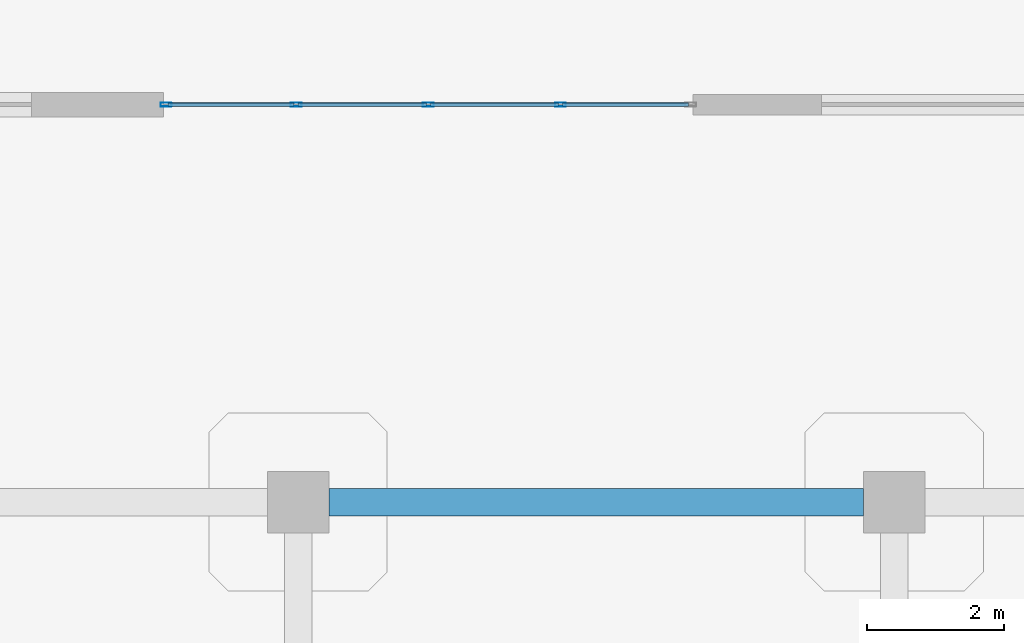
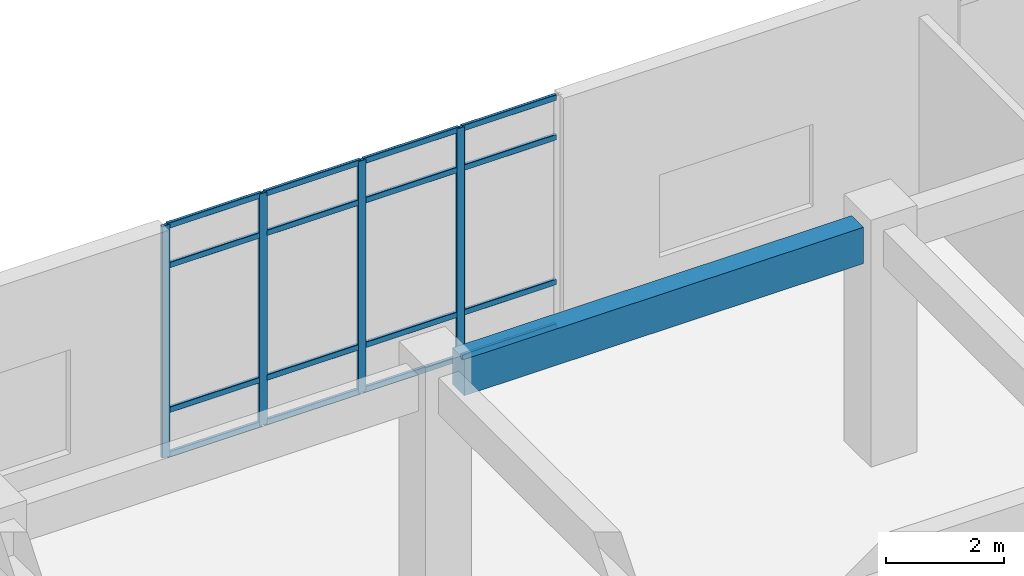
# One storey, part 63 of 120: 20 members, 1 beam, 1 element without a shape of its own.
"""IFC4 building model written with IfcOpenShell, lengths in metres."""

from ifc_helpers import new_model, si_unit, derived_unit, direction, frame, origin, origin_2d, place, context, subcontext, project, spatial, rectangle, hollow_rectangle, extrude, material, layer, layer_set, material_profile, profile_set, type_object, element, aggregate, save


model = new_model("IFC4")

# Units and contexts
model_context = context("Model", 3, precision=1e-05, world=origin(), true_north=direction((0.0, 1.0)))
body_context = subcontext(model_context, "Body", "Model", "MODEL_VIEW")
ifc_project = project(units=[si_unit("LENGTHUNIT", "METRE"), si_unit("AREAUNIT", "SQUARE_METRE"), si_unit("VOLUMEUNIT", "CUBIC_METRE"), si_unit("PLANEANGLEUNIT", "RADIAN"), si_unit("MASSUNIT", "GRAM", prefix="KILO"), derived_unit("THERMALTRANSMITTANCEUNIT", [(si_unit("MASSUNIT", "GRAM", prefix="KILO"), 1), (si_unit("TIMEUNIT", "SECOND"), -3), (si_unit("THERMODYNAMICTEMPERATUREUNIT", "KELVIN"), -1)])], contexts=[model_context])

# Site, building, storey
site_placement = place(None, origin())
site = spatial("IfcSite", under=ifc_project, at=site_placement, CompositionType="ELEMENT")
building_placement = place(site_placement, origin())
building = spatial("IfcBuilding", under=site, at=building_placement, Name="Qinzheling Arcade Emporium", CompositionType="ELEMENT")
storey_placement = place(building_placement, frame((0.0, 0.0, 11.39990234375)))
storey = spatial("IfcBuildingStorey", under=building, at=storey_placement, Name="L03", CompositionType="ELEMENT", Elevation=11.39990234375)

# Curtain wall, members
ifc_material_1 = material(Name="Anodised aluminium and solar-control double glazing", Category="aluminium")
ifc_layer = layer(ifc_material_1, 0.159912109375, Name="Anodised aluminium and solar-control double glazing", Category="aluminium")
ifc_layer_set = layer_set([ifc_layer], Name="Anodised aluminium and solar-control double glazing")
curtain_wall_type = type_object("IfcCurtainWallType", Name="Food Hall Loggia Curtain Wall", PredefinedType="NOTDEFINED", material=ifc_layer_set)
curtain_wall_placement = place(storey_placement, origin())
curtain_wall = element("IfcCurtainWall", 1, at=curtain_wall_placement, inside=storey, type_object=curtain_wall_type, Name="Curtain Wall CW-L03-206", PredefinedType="NOTDEFINED")
ifc_material_2 = material(Name="Anodised aluminium 6063-T6", Category="aluminium")
ifc_material_profile_1 = material_profile(ifc_material_2, hollow_rectangle(XDim=0.06005859375, YDim=0.159912109375, WallThickness=0.00390625, InnerFilletRadius=0.00390625, OuterFilletRadius=0.008056640625, at=origin_2d()), Name="RHS 160x60x4", Category="aluminium")
ifc_profile_set_1 = profile_set([ifc_material_profile_1], Name="Anodised aluminium 6063-T6")
member_type_1 = type_object("IfcMemberType", Name="Curtain Wall Mullion RHS160x60", PredefinedType="MULLION", material=ifc_profile_set_1)
member_1_placement = place(storey_placement, frame((137.27197265625, 31.0, 0.0), z_axis=(0.0, 0.0, 1.0), x_axis=(0.0, 1.0, 0.0)))
member_1 = element("IfcMember", 2, at=member_1_placement, type_object=member_type_1, Name="CW04 mullion 1", PredefinedType="MULLION", context=body_context, shape_type="SweptSolid", body=[
    extrude(hollow_rectangle(XDim=0.06005859375, YDim=0.159912109375, WallThickness=0.00390625, InnerFilletRadius=0.00390625, OuterFilletRadius=0.008056640625, at=origin_2d()), origin(), (0.0, 0.0, 1.0), 4.7900390625),
])
member_2_placement = place(storey_placement, frame((139.1708984375, 31.0, 0.0), z_axis=(0.0, 0.0, 1.0), x_axis=(0.0, 1.0, 0.0)))
member_2 = element("IfcMember", 3, at=member_2_placement, type_object=member_type_1, Name="CW04 mullion 2", PredefinedType="MULLION", context=body_context, shape_type="SweptSolid", body=[
    extrude(hollow_rectangle(XDim=0.06005859375, YDim=0.159912109375, WallThickness=0.00390625, InnerFilletRadius=0.00390625, OuterFilletRadius=0.008056640625, at=origin_2d()), origin(), (0.0, 0.0, 1.0), 4.7900390625),
])
member_3_placement = place(storey_placement, frame((141.10009765625, 31.0, 0.0), z_axis=(0.0, 0.0, 1.0), x_axis=(0.0, 1.0, 0.0)))
member_3 = element("IfcMember", 4, at=member_3_placement, type_object=member_type_1, Name="CW04 mullion 3", PredefinedType="MULLION", context=body_context, shape_type="SweptSolid", body=[
    extrude(hollow_rectangle(XDim=0.06005859375, YDim=0.159912109375, WallThickness=0.00390625, InnerFilletRadius=0.00390625, OuterFilletRadius=0.008056640625, at=origin_2d()), origin(), (0.0, 0.0, 1.0), 4.7900390625),
])
member_4_placement = place(storey_placement, frame((143.029052734375, 31.0, 0.0), z_axis=(0.0, 0.0, 1.0), x_axis=(0.0, 1.0, 0.0)))
member_4 = element("IfcMember", 5, at=member_4_placement, type_object=member_type_1, Name="CW04 mullion 4", PredefinedType="MULLION", context=body_context, shape_type="SweptSolid", body=[
    extrude(hollow_rectangle(XDim=0.06005859375, YDim=0.159912109375, WallThickness=0.00390625, InnerFilletRadius=0.00390625, OuterFilletRadius=0.008056640625, at=origin_2d()), origin(), (0.0, 0.0, 1.0), 4.7900390625),
])
ifc_material_profile_2 = material_profile(ifc_material_2, hollow_rectangle(XDim=0.06005859375, YDim=0.1201171875, WallThickness=0.00390625, InnerFilletRadius=0.00390625, OuterFilletRadius=0.008056640625, at=origin_2d()), Name="RHS 120x60x4", Category="aluminium")
ifc_profile_set_2 = profile_set([ifc_material_profile_2], Name="Anodised aluminium 6063-T6")
member_type_2 = type_object("IfcMemberType", Name="Curtain Wall Transom RHS120x60", PredefinedType="USERDEFINED", material=ifc_profile_set_2)
member_5_placement = place(storey_placement, frame((137.302001953125, 31.0, 0.030029296875), z_axis=(1.0, 0.0, 0.0), x_axis=(0.0, 1.0, 0.0)))
member_5 = element("IfcMember", 6, at=member_5_placement, type_object=member_type_2, Name="CW04 transom 1.1", ObjectType="TRANSOM", PredefinedType="USERDEFINED", context=body_context, shape_type="SweptSolid", body=[
    extrude(hollow_rectangle(XDim=0.06005859375, YDim=0.1201171875, WallThickness=0.00390625, InnerFilletRadius=0.00390625, OuterFilletRadius=0.008056640625, at=origin_2d()), origin(), (0.0, 0.0, 1.0), 1.839111328125),
])
member_6_placement = place(storey_placement, frame((137.302001953125, 31.0, 0.9501953125), z_axis=(1.0, 0.0, 0.0), x_axis=(0.0, 1.0, 0.0)))
member_6 = element("IfcMember", 7, at=member_6_placement, type_object=member_type_2, Name="CW04 transom 1.2", ObjectType="TRANSOM", PredefinedType="USERDEFINED", context=body_context, shape_type="SweptSolid", body=[
    extrude(hollow_rectangle(XDim=0.06005859375, YDim=0.1201171875, WallThickness=0.00390625, InnerFilletRadius=0.00390625, OuterFilletRadius=0.008056640625, at=origin_2d()), origin(), (0.0, 0.0, 1.0), 1.839111328125),
])
member_7_placement = place(storey_placement, frame((137.302001953125, 31.0, 3.940185546875), z_axis=(1.0, 0.0, 0.0), x_axis=(0.0, 1.0, 0.0)))
member_7 = element("IfcMember", 8, at=member_7_placement, type_object=member_type_2, Name="CW04 transom 1.3", ObjectType="TRANSOM", PredefinedType="USERDEFINED", context=body_context, shape_type="SweptSolid", body=[
    extrude(hollow_rectangle(XDim=0.06005859375, YDim=0.1201171875, WallThickness=0.00390625, InnerFilletRadius=0.00390625, OuterFilletRadius=0.008056640625, at=origin_2d()), origin(), (0.0, 0.0, 1.0), 1.839111328125),
])
member_8_placement = place(storey_placement, frame((137.302001953125, 31.0, 4.760009765625), z_axis=(1.0, 0.0, 0.0), x_axis=(0.0, 1.0, 0.0)))
member_8 = element("IfcMember", 9, at=member_8_placement, type_object=member_type_2, Name="CW04 transom 1.4", ObjectType="TRANSOM", PredefinedType="USERDEFINED", context=body_context, shape_type="SweptSolid", body=[
    extrude(hollow_rectangle(XDim=0.06005859375, YDim=0.1201171875, WallThickness=0.00390625, InnerFilletRadius=0.00390625, OuterFilletRadius=0.008056640625, at=origin_2d()), origin(), (0.0, 0.0, 1.0), 1.839111328125),
])
member_9_placement = place(storey_placement, frame((139.200927734375, 31.0, 0.030029296875), z_axis=(1.0, 0.0, 0.0), x_axis=(0.0, 1.0, 0.0)))
member_9 = element("IfcMember", 10, at=member_9_placement, type_object=member_type_2, Name="CW04 transom 2.1", ObjectType="TRANSOM", PredefinedType="USERDEFINED", context=body_context, shape_type="SweptSolid", body=[
    extrude(hollow_rectangle(XDim=0.06005859375, YDim=0.1201171875, WallThickness=0.00390625, InnerFilletRadius=0.00390625, OuterFilletRadius=0.008056640625, at=origin_2d()), origin(), (0.0, 0.0, 1.0), 1.869140625),
])
member_10_placement = place(storey_placement, frame((139.200927734375, 31.0, 0.9501953125), z_axis=(1.0, 0.0, 0.0), x_axis=(0.0, 1.0, 0.0)))
member_10 = element("IfcMember", 11, at=member_10_placement, type_object=member_type_2, Name="CW04 transom 2.2", ObjectType="TRANSOM", PredefinedType="USERDEFINED", context=body_context, shape_type="SweptSolid", body=[
    extrude(hollow_rectangle(XDim=0.06005859375, YDim=0.1201171875, WallThickness=0.00390625, InnerFilletRadius=0.00390625, OuterFilletRadius=0.008056640625, at=origin_2d()), origin(), (0.0, 0.0, 1.0), 1.869140625),
])
member_11_placement = place(storey_placement, frame((139.200927734375, 31.0, 3.940185546875), z_axis=(1.0, 0.0, 0.0), x_axis=(0.0, 1.0, 0.0)))
member_11 = element("IfcMember", 12, at=member_11_placement, type_object=member_type_2, Name="CW04 transom 2.3", ObjectType="TRANSOM", PredefinedType="USERDEFINED", context=body_context, shape_type="SweptSolid", body=[
    extrude(hollow_rectangle(XDim=0.06005859375, YDim=0.1201171875, WallThickness=0.00390625, InnerFilletRadius=0.00390625, OuterFilletRadius=0.008056640625, at=origin_2d()), origin(), (0.0, 0.0, 1.0), 1.869140625),
])
member_12_placement = place(storey_placement, frame((139.200927734375, 31.0, 4.760009765625), z_axis=(1.0, 0.0, 0.0), x_axis=(0.0, 1.0, 0.0)))
member_12 = element("IfcMember", 13, at=member_12_placement, type_object=member_type_2, Name="CW04 transom 2.4", ObjectType="TRANSOM", PredefinedType="USERDEFINED", context=body_context, shape_type="SweptSolid", body=[
    extrude(hollow_rectangle(XDim=0.06005859375, YDim=0.1201171875, WallThickness=0.00390625, InnerFilletRadius=0.00390625, OuterFilletRadius=0.008056640625, at=origin_2d()), origin(), (0.0, 0.0, 1.0), 1.869140625),
])
member_13_placement = place(storey_placement, frame((141.1298828125, 31.0, 0.030029296875), z_axis=(1.0, 0.0, 0.0), x_axis=(0.0, 1.0, 0.0)))
member_13 = element("IfcMember", 14, at=member_13_placement, type_object=member_type_2, Name="CW04 transom 3.1", ObjectType="TRANSOM", PredefinedType="USERDEFINED", context=body_context, shape_type="SweptSolid", body=[
    extrude(hollow_rectangle(XDim=0.06005859375, YDim=0.1201171875, WallThickness=0.00390625, InnerFilletRadius=0.00390625, OuterFilletRadius=0.008056640625, at=origin_2d()), origin(), (0.0, 0.0, 1.0), 1.869140625),
])
member_14_placement = place(storey_placement, frame((141.1298828125, 31.0, 0.9501953125), z_axis=(1.0, 0.0, 0.0), x_axis=(0.0, 1.0, 0.0)))
member_14 = element("IfcMember", 15, at=member_14_placement, type_object=member_type_2, Name="CW04 transom 3.2", ObjectType="TRANSOM", PredefinedType="USERDEFINED", context=body_context, shape_type="SweptSolid", body=[
    extrude(hollow_rectangle(XDim=0.06005859375, YDim=0.1201171875, WallThickness=0.00390625, InnerFilletRadius=0.00390625, OuterFilletRadius=0.008056640625, at=origin_2d()), origin(), (0.0, 0.0, 1.0), 1.869140625),
])
member_15_placement = place(storey_placement, frame((141.1298828125, 31.0, 3.940185546875), z_axis=(1.0, 0.0, 0.0), x_axis=(0.0, 1.0, 0.0)))
member_15 = element("IfcMember", 16, at=member_15_placement, type_object=member_type_2, Name="CW04 transom 3.3", ObjectType="TRANSOM", PredefinedType="USERDEFINED", context=body_context, shape_type="SweptSolid", body=[
    extrude(hollow_rectangle(XDim=0.06005859375, YDim=0.1201171875, WallThickness=0.00390625, InnerFilletRadius=0.00390625, OuterFilletRadius=0.008056640625, at=origin_2d()), origin(), (0.0, 0.0, 1.0), 1.869140625),
])
member_16_placement = place(storey_placement, frame((141.1298828125, 31.0, 4.760009765625), z_axis=(1.0, 0.0, 0.0), x_axis=(0.0, 1.0, 0.0)))
member_16 = element("IfcMember", 17, at=member_16_placement, type_object=member_type_2, Name="CW04 transom 3.4", ObjectType="TRANSOM", PredefinedType="USERDEFINED", context=body_context, shape_type="SweptSolid", body=[
    extrude(hollow_rectangle(XDim=0.06005859375, YDim=0.1201171875, WallThickness=0.00390625, InnerFilletRadius=0.00390625, OuterFilletRadius=0.008056640625, at=origin_2d()), origin(), (0.0, 0.0, 1.0), 1.869140625),
])
member_17_placement = place(storey_placement, frame((143.05908203125, 31.0, 0.030029296875), z_axis=(1.0, 0.0, 0.0), x_axis=(0.0, 1.0, 0.0)))
member_17 = element("IfcMember", 18, at=member_17_placement, type_object=member_type_2, Name="CW04 transom 4.1", ObjectType="TRANSOM", PredefinedType="USERDEFINED", context=body_context, shape_type="SweptSolid", body=[
    extrude(hollow_rectangle(XDim=0.06005859375, YDim=0.1201171875, WallThickness=0.00390625, InnerFilletRadius=0.00390625, OuterFilletRadius=0.008056640625, at=origin_2d()), origin(), (0.0, 0.0, 1.0), 1.8388671875),
])
member_18_placement = place(storey_placement, frame((143.05908203125, 31.0, 0.9501953125), z_axis=(1.0, 0.0, 0.0), x_axis=(0.0, 1.0, 0.0)))
member_18 = element("IfcMember", 19, at=member_18_placement, type_object=member_type_2, Name="CW04 transom 4.2", ObjectType="TRANSOM", PredefinedType="USERDEFINED", context=body_context, shape_type="SweptSolid", body=[
    extrude(hollow_rectangle(XDim=0.06005859375, YDim=0.1201171875, WallThickness=0.00390625, InnerFilletRadius=0.00390625, OuterFilletRadius=0.008056640625, at=origin_2d()), origin(), (0.0, 0.0, 1.0), 1.8388671875),
])
member_19_placement = place(storey_placement, frame((143.05908203125, 31.0, 3.940185546875), z_axis=(1.0, 0.0, 0.0), x_axis=(0.0, 1.0, 0.0)))
member_19 = element("IfcMember", 20, at=member_19_placement, type_object=member_type_2, Name="CW04 transom 4.3", ObjectType="TRANSOM", PredefinedType="USERDEFINED", context=body_context, shape_type="SweptSolid", body=[
    extrude(hollow_rectangle(XDim=0.06005859375, YDim=0.1201171875, WallThickness=0.00390625, InnerFilletRadius=0.00390625, OuterFilletRadius=0.008056640625, at=origin_2d()), origin(), (0.0, 0.0, 1.0), 1.8388671875),
])
member_20_placement = place(storey_placement, frame((143.05908203125, 31.0, 4.760009765625), z_axis=(1.0, 0.0, 0.0), x_axis=(0.0, 1.0, 0.0)))
member_20 = element("IfcMember", 21, at=member_20_placement, type_object=member_type_2, Name="CW04 transom 4.4", ObjectType="TRANSOM", PredefinedType="USERDEFINED", context=body_context, shape_type="SweptSolid", body=[
    extrude(hollow_rectangle(XDim=0.06005859375, YDim=0.1201171875, WallThickness=0.00390625, InnerFilletRadius=0.00390625, OuterFilletRadius=0.008056640625, at=origin_2d()), origin(), (0.0, 0.0, 1.0), 1.8388671875),
])
aggregate(curtain_wall, [member_1, member_2, member_3, member_4, member_5, member_6, member_7, member_8, member_9, member_10, member_11, member_12, member_13, member_14, member_15, member_16, member_17, member_18, member_19, member_20])

# Beam
ifc_material_3 = material(Name="Concrete C40", Category="concrete")
ifc_material_profile_3 = material_profile(ifc_material_3, rectangle(XDim=0.39990234375, YDim=0.75, at=origin_2d()), Name="RC 400x750", Category="concrete")
ifc_profile_set_3 = profile_set([ifc_material_profile_3], Name="Concrete C40")
beam_type = type_object("IfcBeamType", Name="RC Interior Tie Beam 400x750 C40", PredefinedType="BEAM", material=ifc_profile_set_3)
beam_placement = place(storey_placement, frame((139.64990234375, 25.199951171875, 4.43017578125), z_axis=(1.0, 0.0, 0.0), x_axis=(0.0, 1.0, 0.0)))
element("IfcBeam", 22, at=beam_placement, inside=storey, type_object=beam_type, Name="Beam BM-L03-X-D-17", PredefinedType="BEAM", context=body_context, shape_type="SweptSolid", body=[
    extrude(rectangle(XDim=0.39990234375, YDim=0.75, at=origin_2d()), origin(), (0.0, 0.0, 1.0), 7.800048828125),
])

save(model, "model.ifc")
